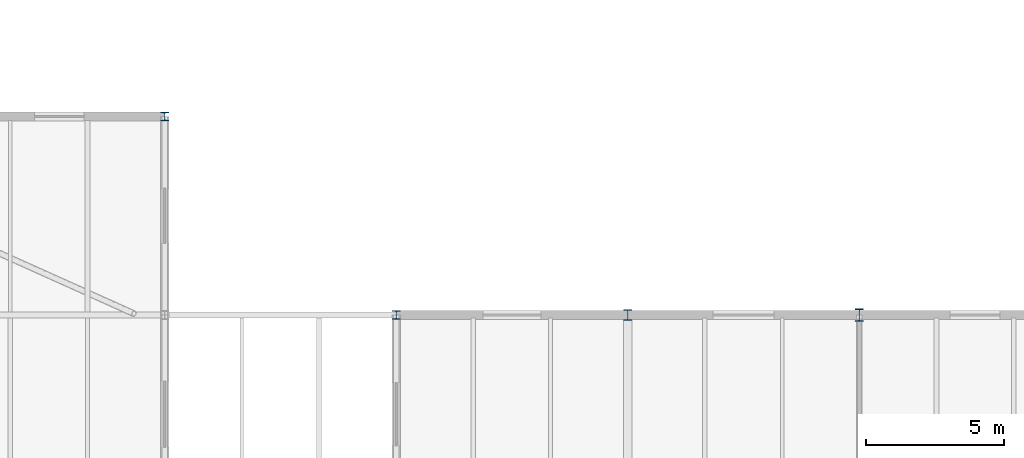
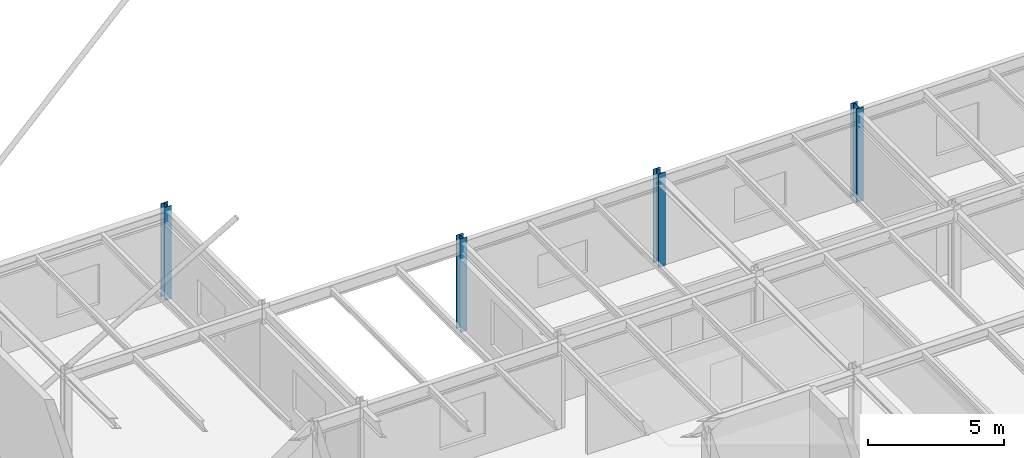
# One storey, part 7 of 109: 4 columns.
"""IFC4 building model written with IfcOpenShell, lengths in metres."""

from ifc_helpers import new_model, si_unit, derived_unit, direction, frame, origin, origin_2d, place, context, subcontext, project, spatial, i_section, extrude, material, material_profile, profile_set, type_object, element, save


model = new_model("IFC4")

# Units and contexts
model_context = context("Model", 3, precision=1e-05, world=origin(), true_north=direction((0.0, 1.0)))
body_context = subcontext(model_context, "Body", "Model", "MODEL_VIEW")
ifc_project = project(units=[si_unit("LENGTHUNIT", "METRE"), si_unit("AREAUNIT", "SQUARE_METRE"), si_unit("VOLUMEUNIT", "CUBIC_METRE"), si_unit("PLANEANGLEUNIT", "RADIAN"), si_unit("MASSUNIT", "GRAM", prefix="KILO"), derived_unit("THERMALTRANSMITTANCEUNIT", [(si_unit("MASSUNIT", "GRAM", prefix="KILO"), 1), (si_unit("TIMEUNIT", "SECOND"), -3), (si_unit("THERMODYNAMICTEMPERATUREUNIT", "KELVIN"), -1)])], contexts=[model_context])

# Site, building, storey
site_placement = place(None, origin())
site = spatial("IfcSite", under=ifc_project, at=site_placement, CompositionType="ELEMENT")
building_placement = place(site_placement, origin())
building = spatial("IfcBuilding", under=site, at=building_placement, Name="Kharveza Railside Sports Centre", CompositionType="ELEMENT")
storey_placement = place(building_placement, frame((0.0, 0.0, 4.5)))
storey = spatial("IfcBuildingStorey", under=building, at=storey_placement, Name="L01", CompositionType="ELEMENT", Elevation=4.5)

# Columns
ifc_material = material(Name="Steel S355J2", Category="steel")
ifc_material_profile_1 = material_profile(ifc_material, i_section(OverallWidth=0.300048828125, OverallDepth=0.300048828125, WebThickness=0.010986328125, FlangeThickness=0.01904296875, FilletRadius=0.027099609375, at=origin_2d()), Name="HEB 300")
ifc_profile_set_1 = profile_set([ifc_material_profile_1], Name="Steel S355J2")
column_type_1 = type_object("IfcColumnType", Name="COL-S07", PredefinedType="COLUMN", material=ifc_profile_set_1)
for number, where, z_axis, x_axis, name in (
    (1, (100.800048828125, 43.199951171875, 0.0), (0.0, 0.0, 1.0), (1.0, 0.0, 0.0), "COL-G-C07-X1008-Y432-L01"),
    (2, (109.199951171875, 36.0, 0.0), (0.0, 0.0, 1.0), (1.0, 0.0, 0.0), "COL-G-C07-X1092-Y360-L01"),
):
    element("IfcColumn", number, at=place(storey_placement, frame(where, z_axis=z_axis, x_axis=x_axis)), inside=storey, type_object=column_type_1, Name=name, PredefinedType="COLUMN", context=body_context, shape_type="SweptSolid", body=[
        extrude(i_section(OverallWidth=0.300048828125, OverallDepth=0.300048828125, WebThickness=0.010986328125, FlangeThickness=0.01904296875, FilletRadius=0.027099609375, at=origin_2d()), origin(), (0.0, 0.0, 1.0), 4.199951171875),
    ])
ifc_material_profile_2 = material_profile(ifc_material, i_section(OverallWidth=0.300048828125, OverallDepth=0.43994140625, WebThickness=0.011474609375, FlangeThickness=0.02099609375, FilletRadius=0.027099609375, at=origin_2d()), Name="HEA 450")
ifc_profile_set_2 = profile_set([ifc_material_profile_2], Name="Steel S355J2")
column_type_2 = type_object("IfcColumnType", Name="COL-S09", PredefinedType="COLUMN", material=ifc_profile_set_2)
column_1_placement = place(storey_placement, frame((126.0, 36.0, 0.0), z_axis=(0.0, 0.0, 1.0), x_axis=(1.0, 0.0, 0.0)))
element("IfcColumn", 3, at=column_1_placement, inside=storey, type_object=column_type_2, Name="COL-G-C09-X1260-Y360-L01", PredefinedType="COLUMN", context=body_context, shape_type="SweptSolid", body=[
    extrude(i_section(OverallWidth=0.300048828125, OverallDepth=0.43994140625, WebThickness=0.011474609375, FlangeThickness=0.02099609375, FilletRadius=0.027099609375, at=origin_2d()), origin(), (0.0, 0.0, 1.0), 4.199951171875),
])
ifc_material_profile_3 = material_profile(ifc_material, i_section(OverallWidth=0.300048828125, OverallDepth=0.389892578125, WebThickness=0.010986328125, FlangeThickness=0.01904296875, FilletRadius=0.027099609375, at=origin_2d()), Name="HEA 400")
ifc_profile_set_3 = profile_set([ifc_material_profile_3], Name="Steel S355J2")
column_type_3 = type_object("IfcColumnType", Name="COL-S10", PredefinedType="COLUMN", material=ifc_profile_set_3)
column_2_placement = place(storey_placement, frame((117.60009765625, 36.0, 0.0), z_axis=(0.0, 0.0, 1.0), x_axis=(1.0, 0.0, 0.0)))
element("IfcColumn", 4, at=column_2_placement, inside=storey, type_object=column_type_3, Name="COL-G-C10-X1176-Y360-L01", PredefinedType="COLUMN", context=body_context, shape_type="SweptSolid", body=[
    extrude(i_section(OverallWidth=0.300048828125, OverallDepth=0.389892578125, WebThickness=0.010986328125, FlangeThickness=0.01904296875, FilletRadius=0.027099609375, at=origin_2d()), origin(), (0.0, 0.0, 1.0), 4.199951171875),
])

save(model, "model.ifc")
